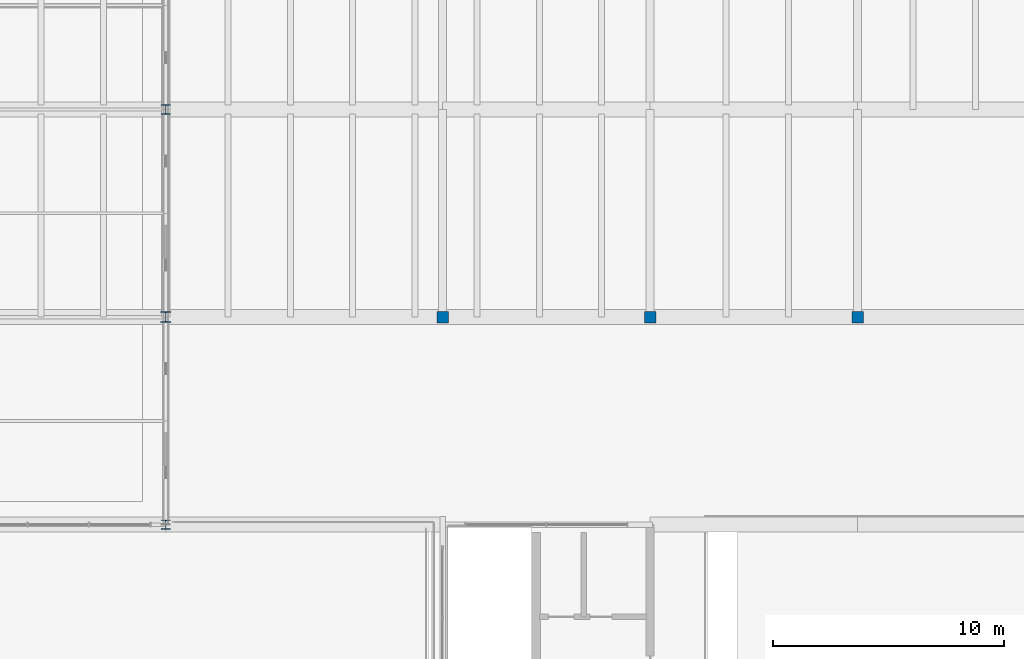
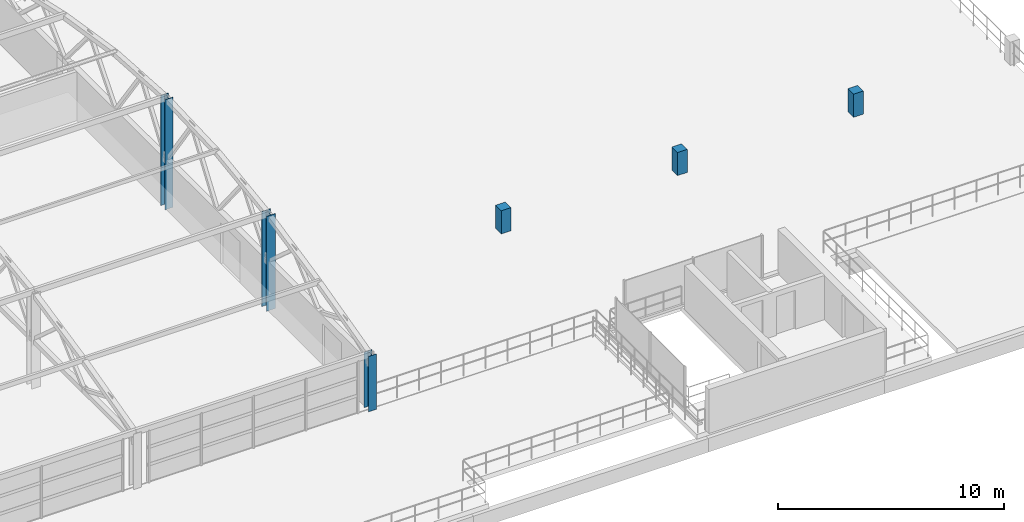
# One storey, part 5 of 50: 6 columns.
"""IFC4 building model written with IfcOpenShell, lengths in metres."""

from ifc_helpers import new_model, si_unit, derived_unit, direction, frame, origin, origin_2d, place, context, subcontext, project, spatial, rectangle, i_section, extrude, material, material_profile, profile_set, type_object, element, save


model = new_model("IFC4")

# Units and contexts
model_context = context("Model", 3, precision=1e-05, world=origin(), true_north=direction((0.0, 1.0)))
body_context = subcontext(model_context, "Body", "Model", "MODEL_VIEW")
ifc_project = project(units=[si_unit("LENGTHUNIT", "METRE"), si_unit("AREAUNIT", "SQUARE_METRE"), si_unit("VOLUMEUNIT", "CUBIC_METRE"), si_unit("PLANEANGLEUNIT", "RADIAN"), si_unit("MASSUNIT", "GRAM", prefix="KILO"), si_unit("THERMODYNAMICTEMPERATUREUNIT", "KELVIN"), derived_unit("THERMALTRANSMITTANCEUNIT", [(si_unit("POWERUNIT", "WATT"), 1), (si_unit("AREAUNIT", "SQUARE_METRE"), -1), (si_unit("THERMODYNAMICTEMPERATUREUNIT", "KELVIN"), -1)])], contexts=[model_context])

# Site, building, storey
site_placement = place(None, origin())
site = spatial("IfcSite", under=ifc_project, at=site_placement, CompositionType="ELEMENT")
building_placement = place(site_placement, origin())
building = spatial("IfcBuilding", under=site, at=building_placement, Name="Haiyu Intermodal Mobility Hub", CompositionType="ELEMENT")
storey_placement = place(building_placement, frame((0.0, 0.0, 25.10009765625)))
storey = spatial("IfcBuildingStorey", under=building, at=storey_placement, Name="L06", CompositionType="ELEMENT", Elevation=25.10009765625)

# Columns
ifc_material_1 = material(Name="Concrete C40", Category="concrete")
ifc_material_profile_1 = material_profile(ifc_material_1, rectangle(XDim=0.5, YDim=0.5, at=origin_2d()), Name="C500x500")
ifc_profile_set_1 = profile_set([ifc_material_profile_1], Name="Concrete C40")
column_type_1 = type_object("IfcColumnType", Name="COL-CC18", PredefinedType="COLUMN", material=ifc_profile_set_1)
for number, where, z_axis, x_axis, name in (
    (1, (120.0, 122.0, 0.0), (0.0, 0.0, 1.0), (1.0, 0.0, 0.0), "Rooftop Court Pergola Post 01"),
    (2, (129.0, 122.0, 0.0), (0.0, 0.0, 1.0), (1.0, 0.0, 0.0), "Rooftop Court Pergola Post 02"),
):
    element("IfcColumn", number, at=place(storey_placement, frame(where, z_axis=z_axis, x_axis=x_axis)), inside=storey, type_object=column_type_1, Name=name, PredefinedType="COLUMN", context=body_context, shape_type="SweptSolid", body=[
        extrude(rectangle(XDim=0.5, YDim=0.5, at=origin_2d()), origin(), (0.0, 0.0, 1.0), 1.25),
    ])
ifc_material_profile_2 = material_profile(ifc_material_1, rectangle(XDim=0.5, YDim=0.5, at=origin_2d()), Name="C500x500")
ifc_profile_set_2 = profile_set([ifc_material_profile_2], Name="Concrete C40")
column_type_2 = type_object("IfcColumnType", Name="COL-CC18-EXT", PredefinedType="COLUMN", material=ifc_profile_set_2)
column_1_placement = place(storey_placement, frame((138.0, 122.0, 0.0), z_axis=(0.0, 0.0, 1.0), x_axis=(1.0, 0.0, 0.0)))
element("IfcColumn", 3, at=column_1_placement, inside=storey, type_object=column_type_2, Name="Rooftop Court Pergola Post 03", PredefinedType="COLUMN", context=body_context, shape_type="SweptSolid", body=[
    extrude(rectangle(XDim=0.5, YDim=0.5, at=origin_2d()), origin(), (0.0, 0.0, 1.0), 1.25),
])
ifc_material_2 = material(Name="Steel Q355C", Category="steel")
ifc_material_profile_3 = material_profile(ifc_material_2, i_section(OverallWidth=0.449951171875, OverallDepth=0.449951171875, WebThickness=0.01611328125, FlangeThickness=0.02587890625, FilletRadius=0.02197265625, at=origin_2d()), Name="HW450x450x16x26")
ifc_profile_set_3 = profile_set([ifc_material_profile_3], Name="Steel Q355C")
column_type_3 = type_object("IfcColumnType", Name="COL-SC04", PredefinedType="COLUMN", material=ifc_profile_set_3)
column_2_placement = place(storey_placement, frame((108.0, 122.0, 0.0), z_axis=(0.0, 0.0, 1.0), x_axis=(1.0, 0.0, 0.0)))
element("IfcColumn", 4, at=column_2_placement, inside=storey, type_object=column_type_3, Name="Column V4-12P L06", PredefinedType="COLUMN", context=body_context, shape_type="SweptSolid", body=[
    extrude(i_section(OverallWidth=0.449951171875, OverallDepth=0.449951171875, WebThickness=0.01611328125, FlangeThickness=0.02587890625, FilletRadius=0.02197265625, at=origin_2d()), origin(), (0.0, 0.0, 1.0), 5.121826171875),
])
ifc_material_profile_4 = material_profile(ifc_material_2, i_section(OverallWidth=0.39990234375, OverallDepth=0.39990234375, WebThickness=0.012939453125, FlangeThickness=0.02099609375, FilletRadius=0.02197265625, at=origin_2d()), Name="HW400x400x13x21")
ifc_profile_set_4 = profile_set([ifc_material_profile_4], Name="Steel Q355C")
column_type_4 = type_object("IfcColumnType", Name="COL-SC05", PredefinedType="COLUMN", material=ifc_profile_set_4)
column_3_placement = place(storey_placement, frame((108.0, 131.0, 0.0), z_axis=(0.0, 0.0, 1.0), x_axis=(1.0, 0.0, 0.0)))
element("IfcColumn", 5, at=column_3_placement, inside=storey, type_object=column_type_4, Name="Column V4-12Q L06", PredefinedType="COLUMN", context=body_context, shape_type="SweptSolid", body=[
    extrude(i_section(OverallWidth=0.39990234375, OverallDepth=0.39990234375, WebThickness=0.012939453125, FlangeThickness=0.02099609375, FilletRadius=0.02197265625, at=origin_2d()), origin(), (0.0, 0.0, 1.0), 5.93701171875),
])
column_4_placement = place(storey_placement, frame((108.0, 113.0, 0.0), z_axis=(0.0, 0.0, 1.0), x_axis=(1.0, 0.0, 0.0)))
element("IfcColumn", 6, at=column_4_placement, inside=storey, type_object=column_type_4, Name="Column V3S-12N L06", PredefinedType="COLUMN", context=body_context, shape_type="SweptSolid", body=[
    extrude(i_section(OverallWidth=0.39990234375, OverallDepth=0.39990234375, WebThickness=0.012939453125, FlangeThickness=0.02099609375, FilletRadius=0.02197265625, at=origin_2d()), origin(), (0.0, 0.0, 1.0), 2.989990234375),
])

save(model, "model.ifc")
